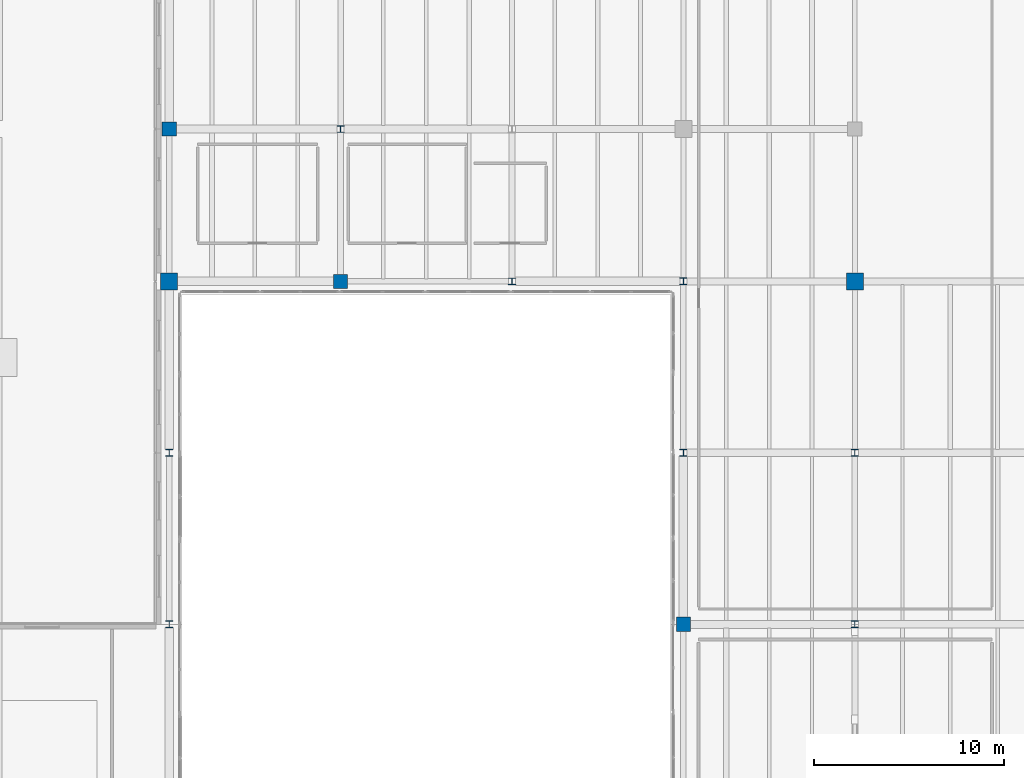
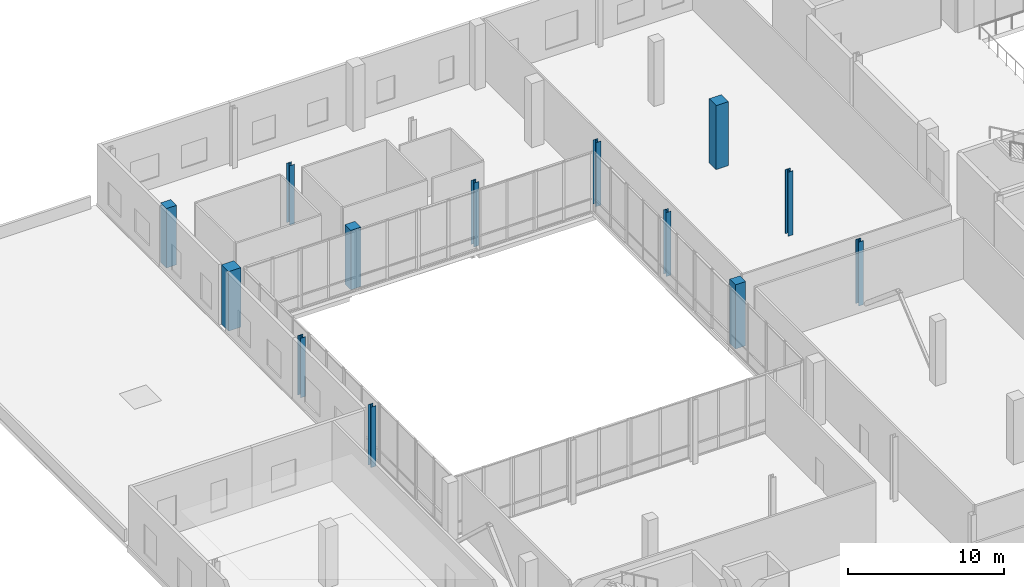
# One storey, part 6 of 60: 13 columns.
"""IFC4 building model written with IfcOpenShell, lengths in metres."""

from ifc_helpers import new_model, si_unit, direction, frame, origin, origin_2d, place, context, subcontext, project, spatial, rectangle, i_section, extrude, material, material_profile, profile_set, type_object, element, save


model = new_model("IFC4")

# Units and contexts
model_context = context("Model", 3, precision=1e-05, world=origin(), true_north=direction((0.0, 1.0)))
body_context = subcontext(model_context, "Body", "Model", "MODEL_VIEW")
ifc_project = project(units=[si_unit("LENGTHUNIT", "METRE"), si_unit("AREAUNIT", "SQUARE_METRE"), si_unit("VOLUMEUNIT", "CUBIC_METRE"), si_unit("PLANEANGLEUNIT", "RADIAN"), si_unit("MASSUNIT", "GRAM", prefix="KILO")], contexts=[model_context])

# Site, building, storey
site_placement = place(None, origin())
site = spatial("IfcSite", under=ifc_project, at=site_placement, CompositionType="ELEMENT")
building_placement = place(site_placement, origin())
building = spatial("IfcBuilding", under=site, at=building_placement, Name="Trimount Lyric Opera House", CompositionType="ELEMENT")
storey_placement = place(building_placement, frame((0.0, 0.0, 15.0)))
storey = spatial("IfcBuildingStorey", under=building, at=storey_placement, Name="L03", CompositionType="ELEMENT", Elevation=15.0)

# Columns
ifc_material_1 = material(Name="Steel ASTM A992 Grade 50", Category="steel")
ifc_material_profile_1 = material_profile(ifc_material_1, i_section(OverallWidth=0.373046875, OverallDepth=0.367919921875, WebThickness=0.014892578125, FlangeThickness=0.02392578125, FilletRadius=0.014892578125, at=origin_2d()), Name="W14X120")
ifc_profile_set_1 = profile_set([ifc_material_profile_1], Name="Steel ASTM A992 Grade 50")
column_type_1 = type_object("IfcColumnType", Name="C-04", PredefinedType="COLUMN", material=ifc_profile_set_1)
column_1_placement = place(storey_placement, frame((18.0, 93.0, 0.0), z_axis=(0.0, 0.0, 1.0), x_axis=(1.0, 0.0, 0.0)))
element("IfcColumn", 1, at=column_1_placement, inside=storey, type_object=column_type_1, Name="L03 column 3/L", PredefinedType="COLUMN", context=body_context, shape_type="SweptSolid", body=[
    extrude(i_section(OverallWidth=0.373046875, OverallDepth=0.367919921875, WebThickness=0.014892578125, FlangeThickness=0.02392578125, FilletRadius=0.014892578125, at=origin_2d()), origin(), (0.0, 0.0, 1.0), 4.639892578125),
])
for number, where, z_axis, x_axis, name in (
    (2, (45.0, 102.0, 0.0), (0.0, 0.0, 1.0), (1.0, 0.0, 0.0), "L03 column 6/M"),
    (3, (54.0, 93.0, 0.0), (0.0, 0.0, 1.0), (1.0, 0.0, 0.0), "L03 column 7/L"),
):
    element("IfcColumn", number, at=place(storey_placement, frame(where, z_axis=z_axis, x_axis=x_axis)), inside=storey, type_object=column_type_1, Name=name, PredefinedType="COLUMN", context=body_context, shape_type="SweptSolid", body=[
        extrude(i_section(OverallWidth=0.373046875, OverallDepth=0.367919921875, WebThickness=0.014892578125, FlangeThickness=0.02392578125, FilletRadius=0.014892578125, at=origin_2d()), origin(), (0.0, 0.0, 1.0), 5.0),
    ])
ifc_material_2 = material(Name="Steel ASTM A992 Grade 50", Category="steel")
ifc_material_profile_2 = material_profile(ifc_material_2, i_section(OverallWidth=0.367919921875, OverallDepth=0.35595703125, WebThickness=0.01123046875, FlangeThickness=0.01806640625, FilletRadius=0.014892578125, at=origin_2d()), Name="W14X90")
ifc_profile_set_2 = profile_set([ifc_material_profile_2], Name="Steel ASTM A992 Grade 50")
column_type_2 = type_object("IfcColumnType", Name="C-09", PredefinedType="COLUMN", material=ifc_profile_set_2)
column_2_placement = place(storey_placement, frame((18.0, 84.0, 0.0), z_axis=(0.0, 0.0, 1.0), x_axis=(1.0, 0.0, 0.0)))
element("IfcColumn", 4, at=column_2_placement, inside=storey, type_object=column_type_2, Name="L03 column 3/K", PredefinedType="COLUMN", context=body_context, shape_type="SweptSolid", body=[
    extrude(i_section(OverallWidth=0.367919921875, OverallDepth=0.35595703125, WebThickness=0.01123046875, FlangeThickness=0.01806640625, FilletRadius=0.014892578125, at=origin_2d()), origin(), (0.0, 0.0, 1.0), 4.7099609375),
])
column_3_placement = place(storey_placement, frame((27.0, 110.0, 0.0), z_axis=(0.0, 0.0, 1.0), x_axis=(1.0, 0.0, 0.0)))
element("IfcColumn", 5, at=column_3_placement, inside=storey, type_object=column_type_2, Name="L03 column 4/N", PredefinedType="COLUMN", context=body_context, shape_type="SweptSolid", body=[
    extrude(i_section(OverallWidth=0.367919921875, OverallDepth=0.35595703125, WebThickness=0.01123046875, FlangeThickness=0.01806640625, FilletRadius=0.014892578125, at=origin_2d()), origin(), (0.0, 0.0, 1.0), 4.639892578125),
])
for number, where, z_axis, x_axis, name in (
    (6, (36.0, 102.0, 0.0), (0.0, 0.0, 1.0), (1.0, 0.0, 0.0), "L03 column 5/M"),
    (7, (45.0, 93.0, 0.0), (0.0, 0.0, 1.0), (1.0, 0.0, 0.0), "L03 column 6/L"),
    (8, (54.0, 84.0, 0.0), (0.0, 0.0, 1.0), (1.0, 0.0, 0.0), "L03 column 7/K"),
):
    element("IfcColumn", number, at=place(storey_placement, frame(where, z_axis=z_axis, x_axis=x_axis)), inside=storey, type_object=column_type_2, Name=name, PredefinedType="COLUMN", context=body_context, shape_type="SweptSolid", body=[
        extrude(i_section(OverallWidth=0.367919921875, OverallDepth=0.35595703125, WebThickness=0.01123046875, FlangeThickness=0.01806640625, FilletRadius=0.014892578125, at=origin_2d()), origin(), (0.0, 0.0, 1.0), 5.0),
    ])
ifc_material_3 = material(Name="Concrete C50/60", Category="concrete")
ifc_material_profile_3 = material_profile(ifc_material_3, rectangle(XDim=0.89990234375, YDim=0.89990234375, at=origin_2d()), Name="RC900X900")
ifc_profile_set_3 = profile_set([ifc_material_profile_3], Name="Concrete C50/60")
column_type_3 = type_object("IfcColumnType", Name="C-13", PredefinedType="COLUMN", material=ifc_profile_set_3)
column_4_placement = place(storey_placement, frame((18.0, 102.0, 0.0), z_axis=(0.0, 0.0, 1.0), x_axis=(1.0, 0.0, 0.0)))
element("IfcColumn", 9, at=column_4_placement, inside=storey, type_object=column_type_3, Name="L03 column 3/M", PredefinedType="COLUMN", context=body_context, shape_type="SweptSolid", body=[
    extrude(rectangle(XDim=0.89990234375, YDim=0.89990234375, at=origin_2d()), origin(), (0.0, 0.0, 1.0), 4.639892578125),
])
column_5_placement = place(storey_placement, frame((54.0, 102.0, 0.0), z_axis=(0.0, 0.0, 1.0), x_axis=(1.0, 0.0, 0.0)))
element("IfcColumn", 10, at=column_5_placement, inside=storey, type_object=column_type_3, Name="L03 column 7/M", PredefinedType="COLUMN", context=body_context, shape_type="SweptSolid", body=[
    extrude(rectangle(XDim=0.89990234375, YDim=0.89990234375, at=origin_2d()), origin(), (0.0, 0.0, 1.0), 5.0),
])
ifc_material_4 = material(Name="Concrete C40/50", Category="concrete")
ifc_material_profile_4 = material_profile(ifc_material_4, rectangle(XDim=0.75, YDim=0.75, at=origin_2d()), Name="RC750X750")
ifc_profile_set_4 = profile_set([ifc_material_profile_4], Name="Concrete C40/50")
column_type_4 = type_object("IfcColumnType", Name="C-15", PredefinedType="COLUMN", material=ifc_profile_set_4)
for number, where, z_axis, x_axis, name in (
    (11, (18.0, 110.0, 0.0), (0.0, 0.0, 1.0), (1.0, 0.0, 0.0), "L03 column 3/N"),
    (12, (27.0, 102.0, 0.0), (0.0, 0.0, 1.0), (1.0, 0.0, 0.0), "L03 column 4/M"),
):
    element("IfcColumn", number, at=place(storey_placement, frame(where, z_axis=z_axis, x_axis=x_axis)), inside=storey, type_object=column_type_4, Name=name, PredefinedType="COLUMN", context=body_context, shape_type="SweptSolid", body=[
        extrude(rectangle(XDim=0.75, YDim=0.75, at=origin_2d()), origin(), (0.0, 0.0, 1.0), 4.639892578125),
    ])
column_6_placement = place(storey_placement, frame((45.0, 84.0, 0.0), z_axis=(0.0, 0.0, 1.0), x_axis=(1.0, 0.0, 0.0)))
element("IfcColumn", 13, at=column_6_placement, inside=storey, type_object=column_type_4, Name="L03 column 6/K", PredefinedType="COLUMN", context=body_context, shape_type="SweptSolid", body=[
    extrude(rectangle(XDim=0.75, YDim=0.75, at=origin_2d()), origin(), (0.0, 0.0, 1.0), 5.0),
])

save(model, "model.ifc")
